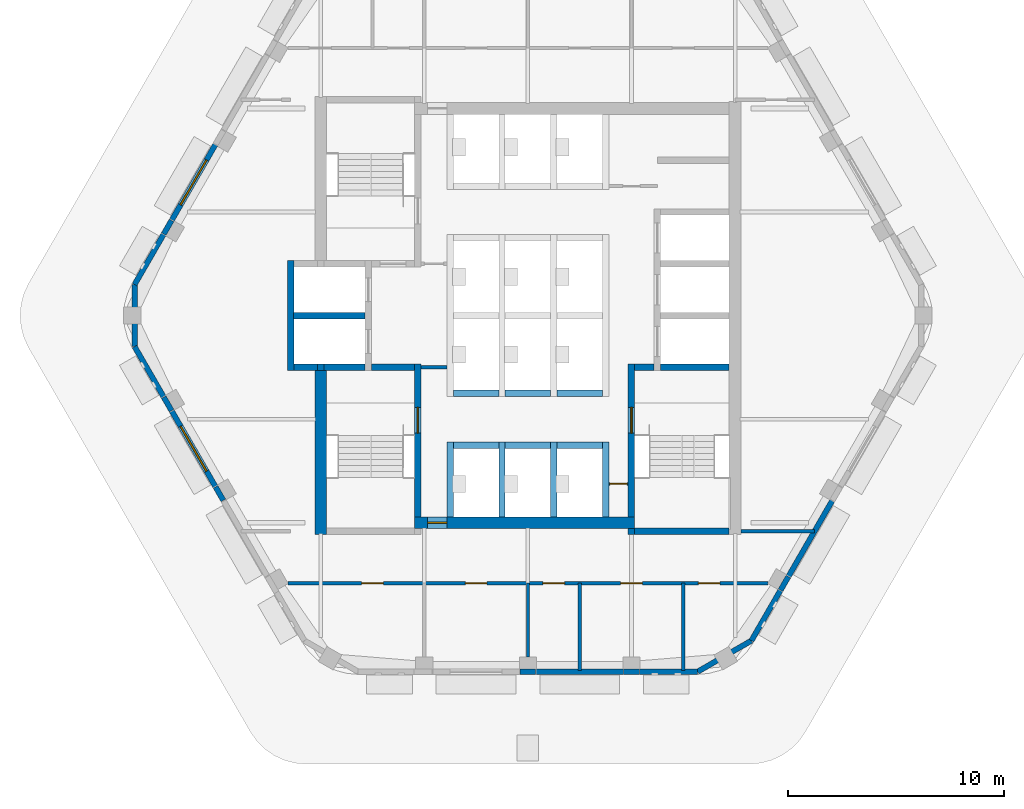
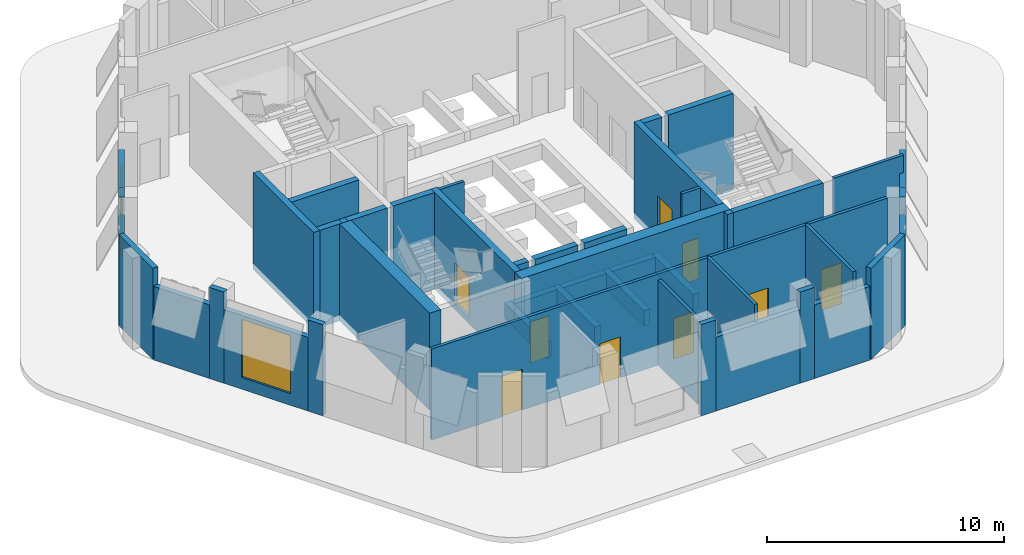
# One storey, part 3 of 9: 47 walls, 9 doors, 2 windows, 11 openings.
"""IFC4 building model written with IfcOpenShell, lengths in metres."""

import ifcopenshell
import ifcopenshell.guid

model = None  # the IFC model being written
_history = None  # IfcOwnerHistory: only IFC2X3 demands one
_inside = {}  # id of a spatial element -> (the spatial element, [elements in it])
_under = {}  # id of a project, library or spatial element -> (it, [spatial elements below it])
_declared = {}  # id of a project -> (the project, [libraries it declares])
_typed = {}  # id of a type object -> (the type object, [elements of that type])
_made_of = {}  # id of a material, layer set ... -> (it, [elements and type objects made of it])


def new_model(schema):
    """Start an empty IFC model of exactly this schema.

    Asked for "IFC4X3", IfcOpenShell would pick the latest addendum, in which some entities
    have other attributes; the version numbers below select the first issue.
    IFC2X3 requires an IfcOwnerHistory on every rooted entity: one is made here for all.
    """
    global model, _history
    if schema == "IFC4X3":
        model = ifcopenshell.file(schema_version=(4, 3, 0, 0))
    else:
        model = ifcopenshell.file(schema=schema)
    _inside.clear()
    _under.clear()
    _declared.clear()
    _typed.clear()
    _made_of.clear()
    _history = None
    if model.schema == "IFC2X3":
        org = make("IfcOrganization", Name="unknown")
        user = make(
            "IfcPersonAndOrganization",
            ThePerson=make("IfcPerson", FamilyName="unknown"),
            TheOrganization=org,
        )
        app = make(
            "IfcApplication",
            ApplicationDeveloper=org,
            Version="unknown",
            ApplicationFullName="unknown",
            ApplicationIdentifier="unknown",
        )
        _history = make(
            "IfcOwnerHistory",
            OwningUser=user,
            OwningApplication=app,
            ChangeAction="ADDED",
            CreationDate=0,
        )
    return model


def make(cls, **values):
    """One entity of the class cls with the attributes given. An attribute that is None is left unset."""
    return model.create_entity(
        cls, **{name: value for name, value in values.items() if value is not None}
    )


def rooted(cls, **values):
    """An entity with a GlobalId (a new one), such as an element, a storey or a relation."""
    return make(cls, GlobalId=ifcopenshell.guid.new(), OwnerHistory=_history, **values)


def si_unit(unit_type, name, prefix=None):
    """IfcSIUnit, for example si_unit("LENGTHUNIT", "METRE", prefix="MILLI")."""
    return make("IfcSIUnit", UnitType=unit_type, Prefix=prefix, Name=name)


def assignment(units):
    """IfcUnitAssignment: the units of a project."""
    return None if units is None else make("IfcUnitAssignment", Units=units)


def point(xyz):
    """IfcCartesianPoint."""
    return None if xyz is None else make("IfcCartesianPoint", Coordinates=xyz)


def direction(xyz):
    """IfcDirection."""
    return None if xyz is None else make("IfcDirection", DirectionRatios=xyz)


def frame(location, z_axis=None, x_axis=None):
    """IfcAxis2Placement3D, a coordinate frame: its origin and axes. An axis left out is left unset."""
    return make(
        "IfcAxis2Placement3D",
        Location=point(location),
        Axis=direction(z_axis),
        RefDirection=direction(x_axis),
    )


def frame_2d(location, x_axis=None):
    """IfcAxis2Placement2D, a coordinate frame in the plane: its origin and x axis."""
    return make(
        "IfcAxis2Placement2D", Location=point(location), RefDirection=direction(x_axis)
    )


def origin():
    """The frame at (0, 0, 0) with its axes left unset."""
    return frame((0.0, 0.0, 0.0))


def place(relative_to, where):
    """IfcLocalPlacement: puts the frame where relative to a parent placement (None: the world)."""
    return make(
        "IfcLocalPlacement", PlacementRelTo=relative_to, RelativePlacement=where
    )


def context(
    kind, dimensions, precision=None, world=None, true_north=None, identifier=None
):
    """IfcGeometricRepresentationContext, for example the 3D "Model" context."""
    return make(
        "IfcGeometricRepresentationContext",
        ContextIdentifier=identifier,
        ContextType=kind,
        CoordinateSpaceDimension=dimensions,
        Precision=precision,
        WorldCoordinateSystem=world,
        TrueNorth=true_north,
    )


def subcontext(parent, identifier, kind, view, scale=None):
    """IfcGeometricRepresentationSubContext, for example "Body" below "Model"."""
    return make(
        "IfcGeometricRepresentationSubContext",
        ContextIdentifier=identifier,
        ContextType=kind,
        ParentContext=parent,
        TargetScale=scale,
        TargetView=view,
    )


def project(units=None, contexts=None):
    """IfcProject with its units and contexts."""
    return rooted(
        "IfcProject",
        Name="project",
        RepresentationContexts=contexts,
        UnitsInContext=assignment(units),
    )


def spatial(cls, under=None, at=None, **own):
    """A site, building, storey or space (cls), placed at a placement, below another one or the project."""
    s = rooted(cls, ObjectPlacement=at, **own)
    if under is not None:
        _under.setdefault(under.id(), (under, []))[1].append(s)
    return s


def profile(cls, at=None, kind="AREA", **sizes):
    """A parametric profile (cls). Its sizes go by their IFC names, for example OverallWidth=200.0."""
    return make(cls, ProfileType=kind, Position=at, **sizes)


def rectangle(**sizes):
    """IfcRectangleProfileDef."""
    return profile("IfcRectangleProfileDef", **sizes)


def extrude(swept, where, along, depth):
    """IfcExtrudedAreaSolid: the profile swept, set in the frame where, extruded along a direction by depth."""
    return make(
        "IfcExtrudedAreaSolid",
        SweptArea=swept,
        Position=where,
        ExtrudedDirection=direction(along),
        Depth=depth,
    )


def shape(context_of_items, identifier, shape_type, items):
    """IfcShapeRepresentation: the items that make up one representation, for example the "Body"."""
    return make(
        "IfcShapeRepresentation",
        ContextOfItems=context_of_items,
        RepresentationIdentifier=identifier,
        RepresentationType=shape_type,
        Items=items,
    )


def material(Name=None, Category=None):
    """IfcMaterial."""
    return make("IfcMaterial", Name=Name, Category=Category)


def layer(
    of_material, thickness, ventilated=None, Name=None, Category=None, Priority=None
):
    """IfcMaterialLayer: one layer of a wall or slab, of a material (None: an air gap)."""
    return make(
        "IfcMaterialLayer",
        Material=of_material,
        LayerThickness=thickness,
        IsVentilated=ventilated,
        Name=Name,
        Category=Category,
        Priority=Priority,
    )


def layer_set(layers, Name=None):
    """IfcMaterialLayerSet."""
    return make("IfcMaterialLayerSet", MaterialLayers=layers, LayerSetName=Name)


def made_of(thing, what):
    """Note that an element or type object is made of a material, layer set ...; save() writes the relation."""
    if what is not None:
        _made_of.setdefault(what.id(), (what, []))[1].append(thing)
    return thing


def type_object(cls, material=None, **own):
    """A type object (cls), such as IfcWallType, which elements share."""
    return made_of(rooted(cls, **own), material)


def element(
    cls,
    number,
    at=None,
    inside=None,
    cuts=None,
    type_object=None,
    material=None,
    context=None,
    identifier="Body",
    shape_type=None,
    held_by="IfcProductDefinitionShape",
    body=None,
    shapes=None,
    **own,
):
    """One element of the class cls, such as IfcWall. Its Tag is "e" and its number.

    at: its placement. inside: the storey or other place that contains it. cuts: it is an
    opening in that element (IfcRelVoidsElement). A single representation is given by context,
    identifier, shape_type and body (its items); several are given by shapes. held_by: the class
    of the entity that holds the representations. save() writes the other relations.
    """
    e = rooted(cls, Tag="e%d" % number, ObjectPlacement=at, **own)
    if body is not None:
        shapes = [shape(context, identifier, shape_type, body)]
    if shapes is not None:
        e.Representation = make(held_by, Representations=shapes)
    if inside is not None:
        _inside.setdefault(inside.id(), (inside, []))[1].append(e)
    if cuts is not None:
        rooted(
            "IfcRelVoidsElement", RelatingBuildingElement=cuts, RelatedOpeningElement=e
        )
    if type_object is not None:
        _typed.setdefault(type_object.id(), (type_object, []))[1].append(e)
    return made_of(e, material)


def fill(opening, filler):
    """IfcRelFillsElement: the door or window that sits in an opening."""
    return rooted(
        "IfcRelFillsElement",
        RelatingOpeningElement=opening,
        RelatedBuildingElement=filler,
    )


def aggregate(whole, parts):
    """IfcRelAggregates: a whole, such as a stair, and the parts it consists of."""
    return rooted("IfcRelAggregates", RelatingObject=whole, RelatedObjects=parts)


def save(model, path):
    """Write the relations noted so far, then the file.

    IfcRelAggregates (storeys below a building ...), IfcRelContainedInSpatialStructure (elements
    in a storey), IfcRelDefinesByType, IfcRelAssociatesMaterial and IfcRelDeclares: one each for
    every whole, place, type object, material and project.
    """
    for whole, parts in _under.values():
        aggregate(whole, parts)
    for where, things in _inside.values():
        rooted(
            "IfcRelContainedInSpatialStructure",
            RelatedElements=things,
            RelatingStructure=where,
        )
    for kind, things in _typed.values():
        rooted("IfcRelDefinesByType", RelatedObjects=things, RelatingType=kind)
    for what, things in _made_of.values():
        rooted("IfcRelAssociatesMaterial", RelatedObjects=things, RelatingMaterial=what)
    for by, libraries in _declared.values():
        rooted("IfcRelDeclares", RelatingContext=by, RelatedDefinitions=libraries)
    model.write(path)


model = new_model("IFC4")

# Units and contexts
model_context = context("Model", 3, precision=1e-05, world=origin(), true_north=direction((0.0, 1.0)))
body_context = subcontext(model_context, "Body", "Model", "MODEL_VIEW")
ifc_project = project(units=[si_unit("LENGTHUNIT", "METRE"), si_unit("AREAUNIT", "SQUARE_METRE"), si_unit("VOLUMEUNIT", "CUBIC_METRE"), si_unit("PLANEANGLEUNIT", "RADIAN"), si_unit("MASSUNIT", "GRAM", prefix="KILO")], contexts=[model_context])

# Site, building, storey
site_placement = place(None, origin())
site = spatial("IfcSite", under=ifc_project, at=site_placement, CompositionType="ELEMENT")
building_placement = place(site_placement, origin())
building = spatial("IfcBuilding", under=site, at=building_placement, Name="Kolab Exchange Tower", CompositionType="ELEMENT")
storey_placement = place(building_placement, frame((0.0, 0.0, 296.89990234375)))
storey = spatial("IfcBuildingStorey", under=building, at=storey_placement, Name="L67", CompositionType="ELEMENT", Elevation=296.89990234375)

# Wall, opening, door
ifc_material_1 = material(Name="Concrete C50/60", Category="concrete")
ifc_layer_1 = layer(ifc_material_1, 0.550048828125)
ifc_layer_set_1 = layer_set([ifc_layer_1], Name="Concrete C50/60")
wall_type_1 = type_object("IfcWallType", Name="CORE WALL 550 C50/60", PredefinedType="SHEAR", material=ifc_layer_set_1)
wall_1_placement = place(storey_placement, frame((-5.25, -9.60009765625, -0.2998046875), z_axis=(0.0, 0.0, 1.0), x_axis=(1.0, 0.0, 0.0)))
wall_1 = element("IfcWall", 1, at=wall_1_placement, inside=storey, type_object=wall_type_1, Name="wall/L67/core/002", PredefinedType="SHEAR", context=body_context, shape_type="SweptSolid", body=[
    extrude(rectangle(XDim=10.199951171875, YDim=0.550048828125, at=frame_2d((5.10009765625, 0.0))), origin(), (0.0, 0.0, 1.0), 5.0),
])
opening_1_placement = place(wall_1_placement, frame((0.60009765625, 0.0, 0.300048828125)))
opening_1 = element("IfcOpeningElement", 2, at=opening_1_placement, cuts=wall_1, Name="Opening D6-301", PredefinedType="OPENING", context=body_context, shape_type="SweptSolid", body=[
    extrude(rectangle(XDim=0.89990234375, YDim=2.10009765625, at=frame_2d((0.449951171875, 1.050048828125))), frame((0.0, 0.28515625, 0.0), z_axis=(0.0, -1.0, 0.0), x_axis=(1.0, 0.0, 0.0)), (0.0, 0.0, 1.0), 0.570068359375),
])
ifc_material_2 = material(Name="Steel S235", Category="steel")
door_type_1 = type_object("IfcDoorType", Name="CORE DOOR 900 EI 120", OperationType="SINGLE_SWING_LEFT", PredefinedType="DOOR", material=ifc_material_2)
door_1_placement = place(opening_1_placement, origin())
door_1 = element("IfcDoor", 3, at=door_1_placement, inside=storey, type_object=door_type_1, Name="Core lobby door", OperationType="SINGLE_SWING_RIGHT", OverallHeight=2.10009765625, OverallWidth=0.89990234375, PredefinedType="DOOR", context=body_context, shape_type="SweptSolid", body=[
    extrude(rectangle(XDim=0.89990234375, YDim=2.10009765625, at=frame_2d((0.449951171875, 1.050048828125))), frame((0.0, 0.02490234375, 0.0), z_axis=(0.0, -1.0, 0.0), x_axis=(1.0, 0.0, 0.0)), (0.0, 0.0, 1.0), 0.050048828125),
])
fill(opening_1, door_1)

# Walls
wall_2_placement = place(storey_placement, frame((-9.60009765625, -10.14990234375, -0.2998046875), z_axis=(0.0, 0.0, 1.0), x_axis=(0.0, 1.0, 0.0)))
element("IfcWall", 4, at=wall_2_placement, inside=storey, type_object=wall_type_1, Name="wall/L67/core/034", PredefinedType="SHEAR", context=body_context, shape_type="SweptSolid", body=[
    extrude(rectangle(XDim=7.599853515625, YDim=0.550048828125, at=frame_2d((3.7998046875, 0.0))), origin(), (0.0, 0.0, 1.0), 5.0),
])
ifc_material_3 = material(Name="Aluminium EN AW-6063 T6", Category="aluminium")
ifc_layer_2 = layer(ifc_material_3, 0.25)
ifc_layer_set_2 = layer_set([ifc_layer_2], Name="Aluminium EN AW-6063 T6")
wall_type_2 = type_object("IfcWallType", Name="CROWN CLADDING WALL 250", PredefinedType="SOLIDWALL", material=ifc_layer_set_2)
wall_3_placement = place(storey_placement, frame((14.11181640625, -8.563232421875, 0.0), z_axis=(0.0, 0.0, 1.0), x_axis=(-0.500026340207, -0.866010195725, 0.0)))
element("IfcWall", 5, at=wall_3_placement, inside=storey, type_object=wall_type_2, Name="Crown cladding wall", PredefinedType="SOLIDWALL", context=body_context, shape_type="SweptSolid", body=[
    extrude(rectangle(XDim=4.079833984375, YDim=0.25, at=frame_2d((2.0400390625, 0.0))), origin(), (0.0, 0.0, 1.0), 3.800048828125),
])
wall_4_placement = place(storey_placement, frame((12.07177734375, -12.096435546875, 0.0), z_axis=(0.0, 0.0, 1.0), x_axis=(-0.499896944627, -0.866084894657, 0.0)))
element("IfcWall", 6, at=wall_4_placement, inside=storey, type_object=wall_type_2, Name="Crown cladding wall", PredefinedType="SOLIDWALL", context=body_context, shape_type="SweptSolid", body=[
    extrude(rectangle(XDim=0.726806640625, YDim=0.25, at=frame_2d((0.36328125, 0.0))), origin(), (0.0, 0.0, 1.0), 4.7001953125),
])
wall_5_placement = place(storey_placement, frame((11.70849609375, -12.725830078125, 0.0), z_axis=(0.0, 0.0, 1.0), x_axis=(-0.500056239725, -0.865992931329, 0.0)))
element("IfcWall", 7, at=wall_5_placement, inside=storey, type_object=wall_type_2, Name="Crown cladding wall", PredefinedType="SOLIDWALL", context=body_context, shape_type="SweptSolid", body=[
    extrude(rectangle(XDim=2.701416015625, YDim=0.25, at=frame_2d((1.3505859375, 0.0))), origin(), (0.0, 0.0, 1.0), 3.800048828125),
])
wall_6_placement = place(storey_placement, frame((10.357666015625, -15.065185546875, 0.0), z_axis=(0.0, 0.0, 1.0), x_axis=(-0.866018712932, -0.500011588718, 0.0)))
element("IfcWall", 8, at=wall_6_placement, inside=storey, type_object=wall_type_2, Name="Crown cladding wall", PredefinedType="SOLIDWALL", context=body_context, shape_type="SweptSolid", body=[
    extrude(rectangle(XDim=2.875, YDim=0.25, at=frame_2d((1.4375, 0.0))), origin(), (0.0, 0.0, 1.0), 4.7001953125),
])
wall_7_placement = place(storey_placement, frame((7.867919921875, -16.502685546875, 0.0), z_axis=(0.0, 0.0, 1.0), x_axis=(-1.0, 0.0, 0.0)))
element("IfcWall", 9, at=wall_7_placement, inside=storey, type_object=wall_type_2, Name="Crown cladding wall", PredefinedType="SOLIDWALL", context=body_context, shape_type="SweptSolid", body=[
    extrude(rectangle(XDim=2.701171875, YDim=0.25, at=frame_2d((1.3505859375, 0.0))), origin(), (0.0, 0.0, 1.0), 3.800048828125),
])
wall_8_placement = place(storey_placement, frame((5.166748046875, -16.502685546875, 0.0), z_axis=(0.0, 0.0, 1.0), x_axis=(-1.0, 0.0, 0.0)))
element("IfcWall", 10, at=wall_8_placement, inside=storey, type_object=wall_type_2, Name="Crown cladding wall", PredefinedType="SOLIDWALL", context=body_context, shape_type="SweptSolid", body=[
    extrude(rectangle(XDim=0.726806640625, YDim=0.25, at=frame_2d((0.36328125, 0.0))), origin(), (0.0, 0.0, 1.0), 4.7001953125),
])
wall_9_placement = place(storey_placement, frame((4.43994140625, -16.502685546875, 0.0), z_axis=(0.0, 0.0, 1.0), x_axis=(-1.0, 0.0, 0.0)))
element("IfcWall", 11, at=wall_9_placement, inside=storey, type_object=wall_type_2, Name="Crown cladding wall", PredefinedType="SOLIDWALL", context=body_context, shape_type="SweptSolid", body=[
    extrude(rectangle(XDim=4.079833984375, YDim=0.25, at=frame_2d((2.0400390625, 0.0))), origin(), (0.0, 0.0, 1.0), 3.800048828125),
])
wall_10_placement = place(storey_placement, frame((0.360107421875, -16.502685546875, 0.0), z_axis=(0.0, 0.0, 1.0), x_axis=(-1.0, 0.0, 0.0)))
element("IfcWall", 12, at=wall_10_placement, inside=storey, type_object=wall_type_2, Name="Crown cladding wall", PredefinedType="SOLIDWALL", context=body_context, shape_type="SweptSolid", body=[
    extrude(rectangle(XDim=0.72021484375, YDim=0.25, at=frame_2d((0.360107421875, 0.0))), origin(), (0.0, 0.0, 1.0), 4.7001953125),
])

# Wall, opening, window
wall_11_placement = place(storey_placement, frame((-14.4716796875, -7.939453125, 0.0), z_axis=(0.0, 0.0, 1.0), x_axis=(-0.500026340207, 0.866010195725, 0.0)))
wall_11 = element("IfcWall", 13, at=wall_11_placement, inside=storey, type_object=wall_type_2, Name="Crown cladding wall", PredefinedType="SOLIDWALL", context=body_context, shape_type="SweptSolid", body=[
    extrude(rectangle(XDim=4.079833984375, YDim=0.25, at=frame_2d((2.0400390625, 0.0))), origin(), (0.0, 0.0, 1.0), 3.800048828125),
])
opening_2_placement = place(wall_11_placement, frame((0.840087890625, 0.0, 0.60009765625)))
opening_2 = element("IfcOpeningElement", 14, at=opening_2_placement, cuts=wall_11, Name="Opening W10-006", PredefinedType="OPENING", context=body_context, shape_type="SweptSolid", body=[
    extrude(rectangle(XDim=2.39990234375, YDim=3.0, at=frame_2d((1.199951171875, 1.5))), frame((0.0, 0.135009765625, 0.0), z_axis=(0.0, -1.0, 0.0), x_axis=(1.0, 0.0, 0.0)), (0.0, 0.0, 1.0), 0.27001953125),
])
window_type = type_object("IfcWindowType", Name="CROWN WINDOW 2400 X 3000", PartitioningType="SINGLE_PANEL", PredefinedType="WINDOW", material=ifc_material_3)
window_1_placement = place(opening_2_placement, origin())
window_1 = element("IfcWindow", 15, at=window_1_placement, inside=storey, type_object=window_type, Name="Crown window", OverallHeight=3.0, OverallWidth=2.39990234375, PartitioningType="SINGLE_PANEL", PredefinedType="WINDOW", context=body_context, shape_type="SweptSolid", body=[
    extrude(rectangle(XDim=2.39990234375, YDim=3.0, at=frame_2d((1.199951171875, 1.5))), frame((0.0, 0.030029296875, 0.0), z_axis=(0.0, -1.0, 0.0), x_axis=(1.0, 0.0, 0.0)), (0.0, 0.0, 1.0), 0.06005859375),
])
fill(opening_2, window_1)

# Walls
wall_12_placement = place(storey_placement, frame((-14.11181640625, -8.563232421875, 0.0), z_axis=(0.0, 0.0, 1.0), x_axis=(-0.499712670472, 0.866191230024, 0.0)))
element("IfcWall", 16, at=wall_12_placement, inside=storey, type_object=wall_type_2, Name="Crown cladding wall", PredefinedType="SOLIDWALL", context=body_context, shape_type="SweptSolid", body=[
    extrude(rectangle(XDim=0.72021484375, YDim=0.25, at=frame_2d((0.360107421875, 0.0))), origin(), (0.0, 0.0, 1.0), 4.7001953125),
])
wall_13_placement = place(storey_placement, frame((-16.51171875, -4.40625, 0.0), z_axis=(0.0, 0.0, 1.0), x_axis=(-0.499896944627, 0.866084894657, 0.0)))
element("IfcWall", 17, at=wall_13_placement, inside=storey, type_object=wall_type_2, Name="Crown cladding wall", PredefinedType="SOLIDWALL", context=body_context, shape_type="SweptSolid", body=[
    extrude(rectangle(XDim=0.726806640625, YDim=0.25, at=frame_2d((0.36328125, 0.0))), origin(), (0.0, 0.0, 1.0), 4.7001953125),
])
wall_14_placement = place(storey_placement, frame((-16.875, -3.77685546875, 0.0), z_axis=(0.0, 0.0, 1.0), x_axis=(-0.500056239725, 0.865992931329, 0.0)))
element("IfcWall", 18, at=wall_14_placement, inside=storey, type_object=wall_type_2, Name="Crown cladding wall", PredefinedType="SOLIDWALL", context=body_context, shape_type="SweptSolid", body=[
    extrude(rectangle(XDim=2.701416015625, YDim=0.25, at=frame_2d((1.3505859375, 0.0))), origin(), (0.0, 0.0, 1.0), 3.800048828125),
])
wall_15_placement = place(storey_placement, frame((-18.225830078125, -1.4375, 0.0), z_axis=(0.0, 0.0, 1.0), x_axis=(0.0, 1.0, 0.0)))
element("IfcWall", 19, at=wall_15_placement, inside=storey, type_object=wall_type_2, Name="Crown cladding wall", PredefinedType="SOLIDWALL", context=body_context, shape_type="SweptSolid", body=[
    extrude(rectangle(XDim=2.875, YDim=0.25, at=frame_2d((1.4375, 0.0))), origin(), (0.0, 0.0, 1.0), 4.7001953125),
])

# Wall, opening, window
wall_16_placement = place(storey_placement, frame((-16.51171875, 4.40625, 0.0), z_axis=(0.0, 0.0, 1.0), x_axis=(0.500026340207, 0.866010195725, 0.0)))
wall_16 = element("IfcWall", 20, at=wall_16_placement, inside=storey, type_object=wall_type_2, Name="Crown cladding wall", PredefinedType="SOLIDWALL", context=body_context, shape_type="SweptSolid", body=[
    extrude(rectangle(XDim=4.079833984375, YDim=0.25, at=frame_2d((2.0400390625, 0.0))), origin(), (0.0, 0.0, 1.0), 3.800048828125),
])
opening_3_placement = place(wall_16_placement, frame((0.840087890625, 0.0, 0.60009765625)))
opening_3 = element("IfcOpeningElement", 21, at=opening_3_placement, cuts=wall_16, Name="Opening W10-007", PredefinedType="OPENING", context=body_context, shape_type="SweptSolid", body=[
    extrude(rectangle(XDim=2.39990234375, YDim=3.0, at=frame_2d((1.199951171875, 1.5))), frame((0.0, 0.135009765625, 0.0), z_axis=(0.0, -1.0, 0.0), x_axis=(1.0, 0.0, 0.0)), (0.0, 0.0, 1.0), 0.27001953125),
])
window_2_placement = place(opening_3_placement, origin())
window_2 = element("IfcWindow", 22, at=window_2_placement, inside=storey, type_object=window_type, Name="Crown window", OverallHeight=3.0, OverallWidth=2.39990234375, PartitioningType="SINGLE_PANEL", PredefinedType="WINDOW", context=body_context, shape_type="SweptSolid", body=[
    extrude(rectangle(XDim=2.39990234375, YDim=3.0, at=frame_2d((1.199951171875, 1.5))), frame((0.0, 0.030029296875, 0.0), z_axis=(0.0, -1.0, 0.0), x_axis=(1.0, 0.0, 0.0)), (0.0, 0.0, 1.0), 0.06005859375),
])
fill(opening_3, window_2)

# Walls
wall_17_placement = place(storey_placement, frame((-18.225830078125, 1.4375, 0.0), z_axis=(0.0, 0.0, 1.0), x_axis=(0.500056239725, 0.865992931329, 0.0)))
element("IfcWall", 23, at=wall_17_placement, inside=storey, type_object=wall_type_2, Name="Crown cladding wall", PredefinedType="SOLIDWALL", context=body_context, shape_type="SweptSolid", body=[
    extrude(rectangle(XDim=2.701416015625, YDim=0.25, at=frame_2d((1.3505859375, 0.0))), origin(), (0.0, 0.0, 1.0), 3.800048828125),
])
wall_18_placement = place(storey_placement, frame((-16.875, 3.77685546875, 0.0), z_axis=(0.0, 0.0, 1.0), x_axis=(0.499896944627, 0.866084894657, 0.0)))
element("IfcWall", 24, at=wall_18_placement, inside=storey, type_object=wall_type_2, Name="Crown cladding wall", PredefinedType="SOLIDWALL", context=body_context, shape_type="SweptSolid", body=[
    extrude(rectangle(XDim=0.726806640625, YDim=0.25, at=frame_2d((0.36328125, 0.0))), origin(), (0.0, 0.0, 1.0), 4.7001953125),
])
ifc_layer_3 = layer(ifc_material_1, 0.300048828125)
ifc_layer_set_3 = layer_set([ifc_layer_3], Name="Concrete C50/60")
wall_type_3 = type_object("IfcWallType", Name="LIFT SHAFT WALL 300 C50/60", PredefinedType="STANDARD", material=ifc_layer_set_3)
wall_19_placement = place(storey_placement, frame((-3.449951171875, -6.0, -0.2998046875), z_axis=(0.0, 0.0, 1.0), x_axis=(1.0, 0.0, 0.0)))
element("IfcWall", 25, at=wall_19_placement, inside=storey, type_object=wall_type_3, Name="wall/L67/core/003", PredefinedType="STANDARD", context=body_context, shape_type="SweptSolid", body=[
    extrude(rectangle(XDim=2.099853515625, YDim=0.300048828125, at=frame_2d((1.0498046875, 0.0))), origin(), (0.0, 0.0, 1.0), 0.7998046875),
])
wall_20_placement = place(storey_placement, frame((-1.050048828125, -6.0, -0.2998046875), z_axis=(0.0, 0.0, 1.0), x_axis=(1.0, 0.0, 0.0)))
element("IfcWall", 26, at=wall_20_placement, inside=storey, type_object=wall_type_3, Name="wall/L67/core/004", PredefinedType="STANDARD", context=body_context, shape_type="SweptSolid", body=[
    extrude(rectangle(XDim=2.10009765625, YDim=0.300048828125, at=frame_2d((1.050048828125, 0.0))), origin(), (0.0, 0.0, 1.0), 0.7998046875),
])
for number, where, z_axis, x_axis, name in (
    (27, (1.35009765625, -6.0, -0.2998046875), (0.0, 0.0, 1.0), (1.0, 0.0, 0.0), "wall/L67/core/005"),
    (28, (-3.449951171875, -3.60009765625, -0.2998046875), (0.0, 0.0, 1.0), (1.0, 0.0, 0.0), "wall/L67/core/006"),
):
    element("IfcWall", number, at=place(storey_placement, frame(where, z_axis=z_axis, x_axis=x_axis)), inside=storey, type_object=wall_type_3, Name=name, PredefinedType="STANDARD", context=body_context, shape_type="SweptSolid", body=[
        extrude(rectangle(XDim=2.099853515625, YDim=0.300048828125, at=frame_2d((1.0498046875, 0.0))), origin(), (0.0, 0.0, 1.0), 0.7998046875),
    ])
wall_21_placement = place(storey_placement, frame((-1.050048828125, -3.60009765625, -0.2998046875), z_axis=(0.0, 0.0, 1.0), x_axis=(1.0, 0.0, 0.0)))
element("IfcWall", 29, at=wall_21_placement, inside=storey, type_object=wall_type_3, Name="wall/L67/core/007", PredefinedType="STANDARD", context=body_context, shape_type="SweptSolid", body=[
    extrude(rectangle(XDim=2.10009765625, YDim=0.300048828125, at=frame_2d((1.050048828125, 0.0))), origin(), (0.0, 0.0, 1.0), 0.7998046875),
])
wall_22_placement = place(storey_placement, frame((1.35009765625, -3.60009765625, -0.2998046875), z_axis=(0.0, 0.0, 1.0), x_axis=(1.0, 0.0, 0.0)))
element("IfcWall", 30, at=wall_22_placement, inside=storey, type_object=wall_type_3, Name="wall/L67/core/008", PredefinedType="STANDARD", context=body_context, shape_type="SweptSolid", body=[
    extrude(rectangle(XDim=2.099853515625, YDim=0.300048828125, at=frame_2d((1.0498046875, 0.0))), origin(), (0.0, 0.0, 1.0), 0.7998046875),
])
wall_23_placement = place(storey_placement, frame((-10.85009765625, -2.39990234375, -0.2998046875), z_axis=(0.0, 0.0, 1.0), x_axis=(1.0, 0.0, 0.0)))
element("IfcWall", 31, at=wall_23_placement, inside=storey, type_object=wall_type_3, Name="wall/L67/core/009", PredefinedType="STANDARD", context=body_context, shape_type="SweptSolid", body=[
    extrude(rectangle(XDim=1.10009765625, YDim=0.300048828125, at=frame_2d((0.550048828125, 0.0))), origin(), (0.0, 0.0, 1.0), 5.0),
])
wall_24_placement = place(storey_placement, frame((-10.85009765625, 0.0, -0.2998046875), z_axis=(0.0, 0.0, 1.0), x_axis=(1.0, 0.0, 0.0)))
element("IfcWall", 32, at=wall_24_placement, inside=storey, type_object=wall_type_3, Name="wall/L67/core/014", PredefinedType="STANDARD", context=body_context, shape_type="SweptSolid", body=[
    extrude(rectangle(XDim=3.300048828125, YDim=0.300048828125, at=frame_2d((1.64990234375, 0.0))), origin(), (0.0, 0.0, 1.0), 5.0),
])
wall_25_placement = place(storey_placement, frame((-11.0, -2.550048828125, -0.2998046875), z_axis=(0.0, 0.0, 1.0), x_axis=(0.0, 1.0, 0.0)))
element("IfcWall", 33, at=wall_25_placement, inside=storey, type_object=wall_type_3, Name="wall/L67/core/033", PredefinedType="STANDARD", context=body_context, shape_type="SweptSolid", body=[
    extrude(rectangle(XDim=5.10009765625, YDim=0.300048828125, at=frame_2d((2.550048828125, 0.0))), origin(), (0.0, 0.0, 1.0), 5.0),
])
for number, where, z_axis, x_axis, name in (
    (34, (-3.60009765625, -9.324951171875, -0.2998046875), (0.0, 0.0, 1.0), (0.0, 1.0, 0.0), "wall/L67/core/043"),
    (35, (-1.199951171875, -9.324951171875, -0.2998046875), (0.0, 0.0, 1.0), (0.0, 1.0, 0.0), "wall/L67/core/046"),
    (36, (1.199951171875, -9.324951171875, -0.2998046875), (0.0, 0.0, 1.0), (0.0, 1.0, 0.0), "wall/L67/core/049"),
    (37, (3.60009765625, -9.324951171875, -0.2998046875), (0.0, 0.0, 1.0), (0.0, 1.0, 0.0), "wall/L67/core/052"),
):
    element("IfcWall", number, at=place(storey_placement, frame(where, z_axis=z_axis, x_axis=x_axis)), inside=storey, type_object=wall_type_3, Name=name, PredefinedType="STANDARD", context=body_context, shape_type="SweptSolid", body=[
        extrude(rectangle(XDim=3.474853515625, YDim=0.300048828125, at=frame_2d((1.7373046875, 0.0))), origin(), (0.0, 0.0, 1.0), 0.7998046875),
    ])
ifc_material_4 = material(Name="Gypsum board", Category="gypsum")
ifc_layer_4 = layer(ifc_material_4, 0.14990234375)
ifc_layer_set_4 = layer_set([ifc_layer_4], Name="Gypsum board")
wall_type_4 = type_object("IfcWallType", Name="PARTITION 150 FIRE-RATED", PredefinedType="PARTITIONING", material=ifc_layer_set_4)
for number, where, z_axis, x_axis, name in (
    (38, (7.199951171875, -16.457763671875, 0.0), (0.0, 0.0, 1.0), (0.0, 1.0, 0.0), "Partition 000"),
    (39, (2.39990234375, -16.457763671875, 0.0), (0.0, 0.0, 1.0), (0.0, 1.0, 0.0), "Partition 002"),
):
    element("IfcWall", number, at=place(storey_placement, frame(where, z_axis=z_axis, x_axis=x_axis)), inside=storey, type_object=wall_type_4, Name=name, PredefinedType="PARTITIONING", context=body_context, shape_type="SweptSolid", body=[
        extrude(rectangle(XDim=4.057861328125, YDim=0.14990234375, at=frame_2d((2.02880859375, 0.0))), origin(), (0.0, 0.0, 1.0), 4.7001953125),
    ])
wall_26_placement = place(storey_placement, frame((0.0, -15.82763671875, 0.0), z_axis=(0.0, 0.0, 1.0), x_axis=(0.0, 1.0, 0.0)))
element("IfcWall", 40, at=wall_26_placement, inside=storey, type_object=wall_type_4, Name="Partition 003", PredefinedType="PARTITIONING", context=body_context, shape_type="SweptSolid", body=[
    extrude(rectangle(XDim=3.427734375, YDim=0.14990234375, at=frame_2d((1.7138671875, 0.0))), origin(), (0.0, 0.0, 1.0), 4.39013671875),
])

# Wall, openings, doors
wall_27_placement = place(storey_placement, frame((-11.1171875, -12.39990234375, 0.0), z_axis=(0.0, 0.0, 1.0), x_axis=(1.0, 0.0, 0.0)))
wall_27 = element("IfcWall", 41, at=wall_27_placement, inside=storey, type_object=wall_type_4, Name="Partition 008", PredefinedType="PARTITIONING", context=body_context, shape_type="SweptSolid", body=[
    extrude(rectangle(XDim=22.234375, YDim=0.14990234375, at=frame_2d((11.1171875, 0.0))), origin(), (0.0, 0.0, 1.0), 4.7001953125),
])
opening_4_placement = place(wall_27_placement, frame((3.4169921875, 0.0, 0.0)))
opening_4 = element("IfcOpeningElement", 42, at=opening_4_placement, cuts=wall_27, Name="Opening D1-786", PredefinedType="OPENING", context=body_context, shape_type="SweptSolid", body=[
    extrude(rectangle(XDim=1.0, YDim=2.10009765625, at=frame_2d((0.5, 1.050048828125))), frame((0.0, 0.0849609375, 0.0), z_axis=(0.0, -1.0, 0.0), x_axis=(1.0, 0.0, 0.0)), (0.0, 0.0, 1.0), 0.169921875),
])
opening_5_placement = place(wall_27_placement, frame((8.217041015625, 0.0, 0.0)))
opening_5 = element("IfcOpeningElement", 43, at=opening_5_placement, cuts=wall_27, Name="Opening D1-787", PredefinedType="OPENING", context=body_context, shape_type="SweptSolid", body=[
    extrude(rectangle(XDim=1.0, YDim=2.10009765625, at=frame_2d((0.5, 1.050048828125))), frame((0.0, 0.0849609375, 0.0), z_axis=(0.0, -1.0, 0.0), x_axis=(1.0, 0.0, 0.0)), (0.0, 0.0, 1.0), 0.169921875),
])
opening_6_placement = place(wall_27_placement, frame((11.817138671875, 0.0, 0.0)))
opening_6 = element("IfcOpeningElement", 44, at=opening_6_placement, cuts=wall_27, Name="Opening D1-788", PredefinedType="OPENING", context=body_context, shape_type="SweptSolid", body=[
    extrude(rectangle(XDim=1.0, YDim=2.10009765625, at=frame_2d((0.5, 1.050048828125))), frame((0.0, 0.0849609375, 0.0), z_axis=(0.0, -1.0, 0.0), x_axis=(1.0, 0.0, 0.0)), (0.0, 0.0, 1.0), 0.169921875),
])
opening_7_placement = place(wall_27_placement, frame((15.4169921875, 0.0, 0.0)))
opening_7 = element("IfcOpeningElement", 45, at=opening_7_placement, cuts=wall_27, Name="Opening D1-789", PredefinedType="OPENING", context=body_context, shape_type="SweptSolid", body=[
    extrude(rectangle(XDim=1.0, YDim=2.10009765625, at=frame_2d((0.5, 1.050048828125))), frame((0.0, 0.0849609375, 0.0), z_axis=(0.0, -1.0, 0.0), x_axis=(1.0, 0.0, 0.0)), (0.0, 0.0, 1.0), 0.169921875),
])
opening_8_placement = place(wall_27_placement, frame((19.01708984375, 0.0, 0.0)))
opening_8 = element("IfcOpeningElement", 46, at=opening_8_placement, cuts=wall_27, Name="Opening D1-790", PredefinedType="OPENING", context=body_context, shape_type="SweptSolid", body=[
    extrude(rectangle(XDim=1.0, YDim=2.10009765625, at=frame_2d((0.5, 1.050048828125))), frame((0.0, 0.0849609375, 0.0), z_axis=(0.0, -1.0, 0.0), x_axis=(1.0, 0.0, 0.0)), (0.0, 0.0, 1.0), 0.169921875),
])
door_type_2 = type_object("IfcDoorType", Name="FLUSH DOOR 1000 FD60", OperationType="SINGLE_SWING_LEFT", PredefinedType="DOOR", material=ifc_material_2)
door_2_placement = place(opening_4_placement, frame((1.0, 0.0, 0.0), z_axis=(0.0, 0.0, 1.0), x_axis=(-1.0, 0.0, 0.0)))
door_2 = element("IfcDoor", 47, at=door_2_placement, inside=storey, type_object=door_type_2, Name="Door L67-022", OperationType="SINGLE_SWING_RIGHT", OverallHeight=2.10009765625, OverallWidth=1.0, PredefinedType="DOOR", context=body_context, shape_type="SweptSolid", body=[
    extrude(rectangle(XDim=1.0, YDim=2.10009765625, at=frame_2d((0.5, 1.050048828125))), frame((0.0, 0.02490234375, 0.0), z_axis=(0.0, -1.0, 0.0), x_axis=(1.0, 0.0, 0.0)), (0.0, 0.0, 1.0), 0.050048828125),
])
fill(opening_4, door_2)
door_3_placement = place(opening_5_placement, frame((1.0, 0.0, 0.0), z_axis=(0.0, 0.0, 1.0), x_axis=(-1.0, 0.0, 0.0)))
door_3 = element("IfcDoor", 48, at=door_3_placement, inside=storey, type_object=door_type_2, Name="Door L67-023", OperationType="SINGLE_SWING_LEFT", OverallHeight=2.10009765625, OverallWidth=1.0, PredefinedType="DOOR", context=body_context, shape_type="SweptSolid", body=[
    extrude(rectangle(XDim=1.0, YDim=2.10009765625, at=frame_2d((0.5, 1.050048828125))), frame((0.0, 0.02490234375, 0.0), z_axis=(0.0, -1.0, 0.0), x_axis=(1.0, 0.0, 0.0)), (0.0, 0.0, 1.0), 0.050048828125),
])
fill(opening_5, door_3)
door_4_placement = place(opening_6_placement, frame((1.0, 0.0, 0.0), z_axis=(0.0, 0.0, 1.0), x_axis=(-1.0, 0.0, 0.0)))
door_4 = element("IfcDoor", 49, at=door_4_placement, inside=storey, type_object=door_type_2, Name="Door L67-024", OperationType="SINGLE_SWING_LEFT", OverallHeight=2.10009765625, OverallWidth=1.0, PredefinedType="DOOR", context=body_context, shape_type="SweptSolid", body=[
    extrude(rectangle(XDim=1.0, YDim=2.10009765625, at=frame_2d((0.5, 1.050048828125))), frame((0.0, 0.02490234375, 0.0), z_axis=(0.0, -1.0, 0.0), x_axis=(1.0, 0.0, 0.0)), (0.0, 0.0, 1.0), 0.050048828125),
])
fill(opening_6, door_4)
door_5_placement = place(opening_7_placement, frame((1.0, 0.0, 0.0), z_axis=(0.0, 0.0, 1.0), x_axis=(-1.0, 0.0, 0.0)))
door_5 = element("IfcDoor", 50, at=door_5_placement, inside=storey, type_object=door_type_2, Name="Door L67-025", OperationType="SINGLE_SWING_LEFT", OverallHeight=2.10009765625, OverallWidth=1.0, PredefinedType="DOOR", context=body_context, shape_type="SweptSolid", body=[
    extrude(rectangle(XDim=1.0, YDim=2.10009765625, at=frame_2d((0.5, 1.050048828125))), frame((0.0, 0.02490234375, 0.0), z_axis=(0.0, -1.0, 0.0), x_axis=(1.0, 0.0, 0.0)), (0.0, 0.0, 1.0), 0.050048828125),
])
fill(opening_7, door_5)
door_6_placement = place(opening_8_placement, frame((1.0, 0.0, 0.0), z_axis=(0.0, 0.0, 1.0), x_axis=(-1.0, 0.0, 0.0)))
door_6 = element("IfcDoor", 51, at=door_6_placement, inside=storey, type_object=door_type_2, Name="Door L67-026", OperationType="SINGLE_SWING_LEFT", OverallHeight=2.10009765625, OverallWidth=1.0, PredefinedType="DOOR", context=body_context, shape_type="SweptSolid", body=[
    extrude(rectangle(XDim=1.0, YDim=2.10009765625, at=frame_2d((0.5, 1.050048828125))), frame((0.0, 0.02490234375, 0.0), z_axis=(0.0, -1.0, 0.0), x_axis=(1.0, 0.0, 0.0)), (0.0, 0.0, 1.0), 0.050048828125),
])
fill(opening_8, door_6)

# Wall
wall_28_placement = place(storey_placement, frame((9.875, -10.0, 0.0), z_axis=(0.0, 0.0, 1.0), x_axis=(1.0, 0.0, 0.0)))
element("IfcWall", 52, at=wall_28_placement, inside=storey, type_object=wall_type_4, Name="Partition 010", PredefinedType="PARTITIONING", context=body_context, shape_type="SweptSolid", body=[
    extrude(rectangle(XDim=3.412841796875, YDim=0.14990234375, at=frame_2d((1.70654296875, 0.0))), origin(), (0.0, 0.0, 1.0), 4.7001953125),
])

# Wall, opening, door
wall_29_placement = place(storey_placement, frame((3.75, -7.800048828125, 0.0), z_axis=(0.0, 0.0, 1.0), x_axis=(1.0, 0.0, 0.0)))
wall_29 = element("IfcWall", 53, at=wall_29_placement, inside=storey, type_object=wall_type_4, Name="Partition 011", PredefinedType="PARTITIONING", context=body_context, shape_type="SweptSolid", body=[
    extrude(rectangle(XDim=0.89990234375, YDim=0.14990234375, at=frame_2d((0.449951171875, 0.0))), origin(), (0.0, 0.0, 1.0), 4.7001953125),
])
opening_9_placement = place(wall_29_placement, frame((0.050048828125, 0.0, 0.0)))
opening_9 = element("IfcOpeningElement", 54, at=opening_9_placement, cuts=wall_29, Name="Opening D7-045", PredefinedType="OPENING", context=body_context, shape_type="SweptSolid", body=[
    extrude(rectangle(XDim=0.800048828125, YDim=2.10009765625, at=frame_2d((0.39990234375, 1.050048828125))), frame((0.0, 0.0849609375, 0.0), z_axis=(0.0, -1.0, 0.0), x_axis=(1.0, 0.0, 0.0)), (0.0, 0.0, 1.0), 0.169921875),
])
door_type_3 = type_object("IfcDoorType", Name="FLUSH DOOR 800 FD60", OperationType="SINGLE_SWING_LEFT", PredefinedType="DOOR", material=ifc_material_2)
door_7_placement = place(opening_9_placement, frame((0.800048828125, 0.0, 0.0), z_axis=(0.0, 0.0, 1.0), x_axis=(-1.0, 0.0, 0.0)))
door_7 = element("IfcDoor", 55, at=door_7_placement, inside=storey, type_object=door_type_3, Name="Door L67-012", OperationType="SINGLE_SWING_RIGHT", OverallHeight=2.10009765625, OverallWidth=0.800048828125, PredefinedType="DOOR", context=body_context, shape_type="SweptSolid", body=[
    extrude(rectangle(XDim=0.800048828125, YDim=2.10009765625, at=frame_2d((0.39990234375, 1.050048828125))), frame((0.0, 0.02490234375, 0.0), z_axis=(0.0, -1.0, 0.0), x_axis=(1.0, 0.0, 0.0)), (0.0, 0.0, 1.0), 0.050048828125),
])
fill(opening_9, door_7)

# Walls
wall_30_placement = place(storey_placement, frame((-4.949951171875, -2.39990234375, 0.0), z_axis=(0.0, 0.0, 1.0), x_axis=(1.0, 0.0, 0.0)))
element("IfcWall", 56, at=wall_30_placement, inside=storey, type_object=wall_type_4, Name="Fire partition", PredefinedType="PARTITIONING", context=body_context, shape_type="SweptSolid", body=[
    extrude(rectangle(XDim=1.199951171875, YDim=0.14990234375, at=frame_2d((0.60009765625, 0.0))), origin(), (0.0, 0.0, 1.0), 4.7001953125),
])
ifc_layer_5 = layer(ifc_material_1, 0.300048828125)
ifc_layer_set_5 = layer_set([ifc_layer_5], Name="Concrete C50/60")
wall_type_5 = type_object("IfcWallType", Name="STAIR ENCLOSURE WALL 300 C50/60", PredefinedType="STANDARD", material=ifc_layer_set_5)
wall_31_placement = place(storey_placement, frame((4.949951171875, -10.0, -0.2998046875), z_axis=(0.0, 0.0, 1.0), x_axis=(1.0, 0.0, 0.0)))
element("IfcWall", 57, at=wall_31_placement, inside=storey, type_object=wall_type_5, Name="wall/L67/core/001", PredefinedType="STANDARD", context=body_context, shape_type="SweptSolid", body=[
    extrude(rectangle(XDim=4.375, YDim=0.300048828125, at=frame_2d((2.1875, 0.0))), origin(), (0.0, 0.0, 1.0), 5.0),
])
wall_32_placement = place(storey_placement, frame((-9.449951171875, -2.39990234375, -0.2998046875), z_axis=(0.0, 0.0, 1.0), x_axis=(1.0, 0.0, 0.0)))
element("IfcWall", 58, at=wall_32_placement, inside=storey, type_object=wall_type_5, Name="wall/L67/core/010", PredefinedType="STANDARD", context=body_context, shape_type="SweptSolid", body=[
    extrude(rectangle(XDim=1.89990234375, YDim=0.300048828125, at=frame_2d((0.949951171875, 0.0))), origin(), (0.0, 0.0, 1.0), 5.0),
])
wall_33_placement = place(storey_placement, frame((-7.25, -2.39990234375, -0.2998046875), z_axis=(0.0, 0.0, 1.0), x_axis=(1.0, 0.0, 0.0)))
element("IfcWall", 59, at=wall_33_placement, inside=storey, type_object=wall_type_5, Name="wall/L67/core/011", PredefinedType="STANDARD", context=body_context, shape_type="SweptSolid", body=[
    extrude(rectangle(XDim=2.0, YDim=0.300048828125, at=frame_2d((1.0, 0.0))), origin(), (0.0, 0.0, 1.0), 5.0),
])
wall_34_placement = place(storey_placement, frame((4.949951171875, -2.39990234375, -0.2998046875), z_axis=(0.0, 0.0, 1.0), x_axis=(1.0, 0.0, 0.0)))
element("IfcWall", 60, at=wall_34_placement, inside=storey, type_object=wall_type_5, Name="wall/L67/core/012", PredefinedType="STANDARD", context=body_context, shape_type="SweptSolid", body=[
    extrude(rectangle(XDim=0.900146484375, YDim=0.300048828125, at=frame_2d((0.4501953125, 0.0))), origin(), (0.0, 0.0, 1.0), 5.0),
])
wall_35_placement = place(storey_placement, frame((6.14990234375, -2.39990234375, -0.2998046875), z_axis=(0.0, 0.0, 1.0), x_axis=(1.0, 0.0, 0.0)))
element("IfcWall", 61, at=wall_35_placement, inside=storey, type_object=wall_type_5, Name="wall/L67/core/013", PredefinedType="STANDARD", context=body_context, shape_type="SweptSolid", body=[
    extrude(rectangle(XDim=3.175048828125, YDim=0.300048828125, at=frame_2d((1.58740234375, 0.0))), origin(), (0.0, 0.0, 1.0), 5.0),
])
wall_36_placement = place(storey_placement, frame((-9.60009765625, -2.550048828125, -0.2998046875), z_axis=(0.0, 0.0, 1.0), x_axis=(0.0, 1.0, 0.0)))
element("IfcWall", 62, at=wall_36_placement, inside=storey, type_object=wall_type_5, Name="wall/L67/core/035", PredefinedType="STANDARD", context=body_context, shape_type="SweptSolid", body=[
    extrude(rectangle(XDim=0.300048828125, YDim=0.300048828125, at=frame_2d((0.14990234375, 0.0))), origin(), (0.0, 0.0, 1.0), 5.0),
])

# Wall, opening, door
wall_37_placement = place(storey_placement, frame((-5.10009765625, -9.324951171875, -0.2998046875), z_axis=(0.0, 0.0, 1.0), x_axis=(0.0, 1.0, 0.0)))
wall_37 = element("IfcWall", 63, at=wall_37_placement, inside=storey, type_object=wall_type_5, Name="wall/L67/core/040", PredefinedType="STANDARD", context=body_context, shape_type="SweptSolid", body=[
    extrude(rectangle(XDim=7.074951171875, YDim=0.300048828125, at=frame_2d((3.53759765625, 0.0))), origin(), (0.0, 0.0, 1.0), 5.0),
])
opening_10_placement = place(wall_37_placement, frame((3.875, 0.0, 0.300048828125)))
opening_10 = element("IfcOpeningElement", 64, at=opening_10_placement, cuts=wall_37, Name="Opening D4-085", PredefinedType="OPENING", context=body_context, shape_type="SweptSolid", body=[
    extrude(rectangle(XDim=1.199951171875, YDim=2.10009765625, at=frame_2d((0.60009765625, 1.050048828125))), frame((0.0, 0.16015625, 0.0), z_axis=(0.0, -1.0, 0.0), x_axis=(1.0, 0.0, 0.0)), (0.0, 0.0, 1.0), 0.320068359375),
])
door_type_4 = type_object("IfcDoorType", Name="STAIR DOOR 1200 EI 120", OperationType="SINGLE_SWING_LEFT", PredefinedType="DOOR", material=ifc_material_2)
door_8_placement = place(opening_10_placement, origin())
door_8 = element("IfcDoor", 65, at=door_8_placement, inside=storey, type_object=door_type_4, Name="Stair 3 door", OperationType="SINGLE_SWING_RIGHT", OverallHeight=2.10009765625, OverallWidth=1.199951171875, PredefinedType="DOOR", context=body_context, shape_type="SweptSolid", body=[
    extrude(rectangle(XDim=1.199951171875, YDim=2.10009765625, at=frame_2d((0.60009765625, 1.050048828125))), frame((0.0, 0.02490234375, 0.0), z_axis=(0.0, -1.0, 0.0), x_axis=(1.0, 0.0, 0.0)), (0.0, 0.0, 1.0), 0.050048828125),
])
fill(opening_10, door_8)

# Wall
wall_38_placement = place(storey_placement, frame((4.800048828125, -10.14990234375, -0.2998046875), z_axis=(0.0, 0.0, 1.0), x_axis=(0.0, 1.0, 0.0)))
element("IfcWall", 66, at=wall_38_placement, inside=storey, type_object=wall_type_5, Name="wall/L67/core/055", PredefinedType="STANDARD", context=body_context, shape_type="SweptSolid", body=[
    extrude(rectangle(XDim=0.27490234375, YDim=0.300048828125, at=frame_2d((0.137451171875, 0.0))), origin(), (0.0, 0.0, 1.0), 5.0),
])

# Wall, opening, door
wall_39_placement = place(storey_placement, frame((4.800048828125, -9.324951171875, -0.2998046875), z_axis=(0.0, 0.0, 1.0), x_axis=(0.0, 1.0, 0.0)))
wall_39 = element("IfcWall", 67, at=wall_39_placement, inside=storey, type_object=wall_type_5, Name="wall/L67/core/056", PredefinedType="STANDARD", context=body_context, shape_type="SweptSolid", body=[
    extrude(rectangle(XDim=7.074951171875, YDim=0.300048828125, at=frame_2d((3.53759765625, 0.0))), origin(), (0.0, 0.0, 1.0), 5.0),
])
opening_11_placement = place(wall_39_placement, frame((3.875, 0.0, 0.300048828125)))
opening_11 = element("IfcOpeningElement", 68, at=opening_11_placement, cuts=wall_39, Name="Opening D4-084", PredefinedType="OPENING", context=body_context, shape_type="SweptSolid", body=[
    extrude(rectangle(XDim=1.199951171875, YDim=2.10009765625, at=frame_2d((0.60009765625, 1.050048828125))), frame((0.0, 0.16015625, 0.0), z_axis=(0.0, -1.0, 0.0), x_axis=(1.0, 0.0, 0.0)), (0.0, 0.0, 1.0), 0.320068359375),
])
door_9_placement = place(opening_11_placement, frame((1.199951171875, 0.0, 0.0), z_axis=(0.0, 0.0, 1.0), x_axis=(-1.0, 0.0, 0.0)))
door_9 = element("IfcDoor", 69, at=door_9_placement, inside=storey, type_object=door_type_4, Name="Stair 2 door", OperationType="SINGLE_SWING_RIGHT", OverallHeight=2.10009765625, OverallWidth=1.199951171875, PredefinedType="DOOR", context=body_context, shape_type="SweptSolid", body=[
    extrude(rectangle(XDim=1.199951171875, YDim=2.10009765625, at=frame_2d((0.60009765625, 1.050048828125))), frame((0.0, 0.02490234375, 0.0), z_axis=(0.0, -1.0, 0.0), x_axis=(1.0, 0.0, 0.0)), (0.0, 0.0, 1.0), 0.050048828125),
])
fill(opening_11, door_9)

save(model, "model.ifc")
